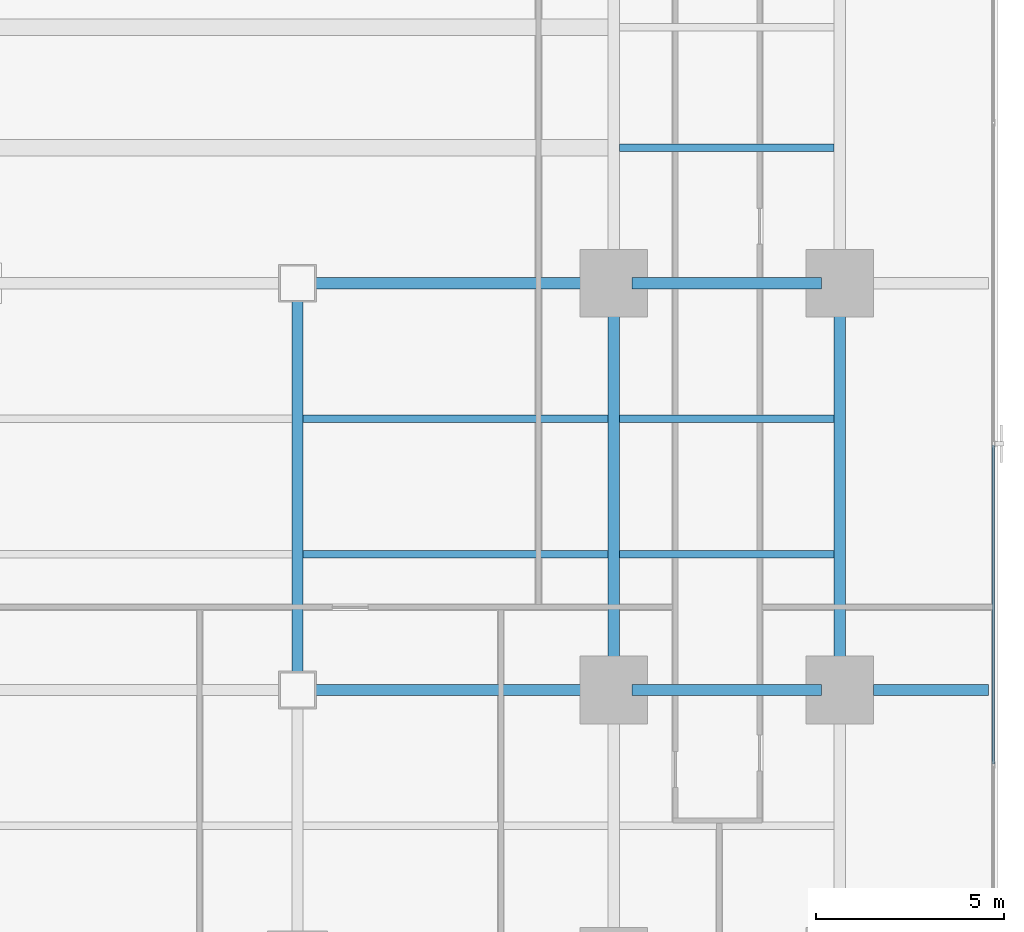
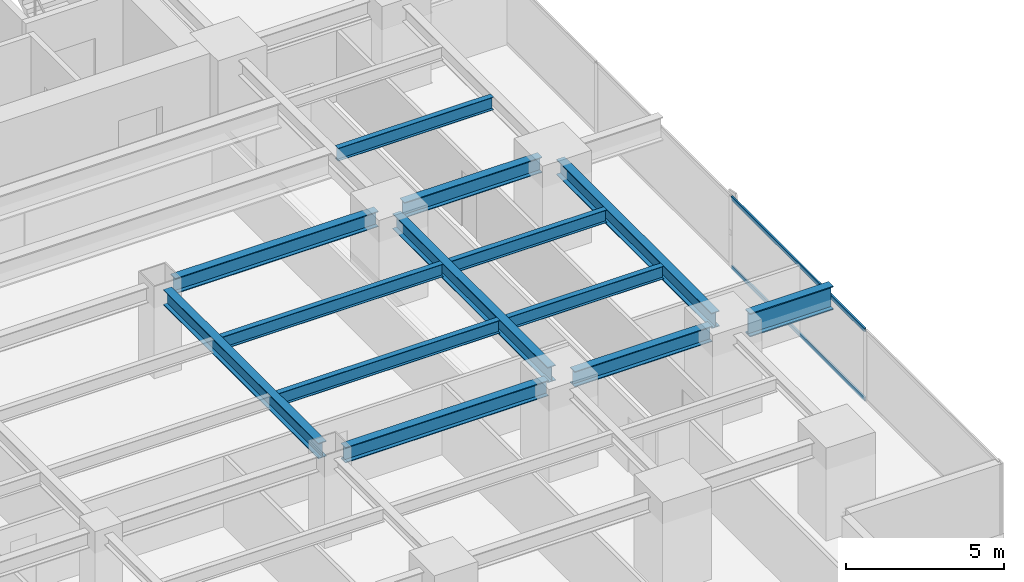
# One storey, part 14 of 34: 13 beams, 2 members, 1 element without a shape of its own.
"""IFC4 building model written with IfcOpenShell, lengths in metres."""

import ifcopenshell
import ifcopenshell.guid

model = None  # the IFC model being written
_history = None  # IfcOwnerHistory: only IFC2X3 demands one
_inside = {}  # id of a spatial element -> (the spatial element, [elements in it])
_under = {}  # id of a project, library or spatial element -> (it, [spatial elements below it])
_declared = {}  # id of a project -> (the project, [libraries it declares])
_typed = {}  # id of a type object -> (the type object, [elements of that type])
_made_of = {}  # id of a material, layer set ... -> (it, [elements and type objects made of it])


def new_model(schema):
    """Start an empty IFC model of exactly this schema.

    Asked for "IFC4X3", IfcOpenShell would pick the latest addendum, in which some entities
    have other attributes; the version numbers below select the first issue.
    IFC2X3 requires an IfcOwnerHistory on every rooted entity: one is made here for all.
    """
    global model, _history
    if schema == "IFC4X3":
        model = ifcopenshell.file(schema_version=(4, 3, 0, 0))
    else:
        model = ifcopenshell.file(schema=schema)
    _inside.clear()
    _under.clear()
    _declared.clear()
    _typed.clear()
    _made_of.clear()
    _history = None
    if model.schema == "IFC2X3":
        org = make("IfcOrganization", Name="unknown")
        user = make(
            "IfcPersonAndOrganization",
            ThePerson=make("IfcPerson", FamilyName="unknown"),
            TheOrganization=org,
        )
        app = make(
            "IfcApplication",
            ApplicationDeveloper=org,
            Version="unknown",
            ApplicationFullName="unknown",
            ApplicationIdentifier="unknown",
        )
        _history = make(
            "IfcOwnerHistory",
            OwningUser=user,
            OwningApplication=app,
            ChangeAction="ADDED",
            CreationDate=0,
        )
    return model


def make(cls, **values):
    """One entity of the class cls with the attributes given. An attribute that is None is left unset."""
    return model.create_entity(
        cls, **{name: value for name, value in values.items() if value is not None}
    )


def rooted(cls, **values):
    """An entity with a GlobalId (a new one), such as an element, a storey or a relation."""
    return make(cls, GlobalId=ifcopenshell.guid.new(), OwnerHistory=_history, **values)


def si_unit(unit_type, name, prefix=None):
    """IfcSIUnit, for example si_unit("LENGTHUNIT", "METRE", prefix="MILLI")."""
    return make("IfcSIUnit", UnitType=unit_type, Prefix=prefix, Name=name)


def assignment(units):
    """IfcUnitAssignment: the units of a project."""
    return None if units is None else make("IfcUnitAssignment", Units=units)


def point(xyz):
    """IfcCartesianPoint."""
    return None if xyz is None else make("IfcCartesianPoint", Coordinates=xyz)


def direction(xyz):
    """IfcDirection."""
    return None if xyz is None else make("IfcDirection", DirectionRatios=xyz)


def frame(location, z_axis=None, x_axis=None):
    """IfcAxis2Placement3D, a coordinate frame: its origin and axes. An axis left out is left unset."""
    return make(
        "IfcAxis2Placement3D",
        Location=point(location),
        Axis=direction(z_axis),
        RefDirection=direction(x_axis),
    )


def frame_2d(location, x_axis=None):
    """IfcAxis2Placement2D, a coordinate frame in the plane: its origin and x axis."""
    return make(
        "IfcAxis2Placement2D", Location=point(location), RefDirection=direction(x_axis)
    )


def origin():
    """The frame at (0, 0, 0) with its axes left unset."""
    return frame((0.0, 0.0, 0.0))


def origin_2d():
    """The frame at (0, 0) in the plane with its x axis left unset."""
    return frame_2d((0.0, 0.0))


def place(relative_to, where):
    """IfcLocalPlacement: puts the frame where relative to a parent placement (None: the world)."""
    return make(
        "IfcLocalPlacement", PlacementRelTo=relative_to, RelativePlacement=where
    )


def context(
    kind, dimensions, precision=None, world=None, true_north=None, identifier=None
):
    """IfcGeometricRepresentationContext, for example the 3D "Model" context."""
    return make(
        "IfcGeometricRepresentationContext",
        ContextIdentifier=identifier,
        ContextType=kind,
        CoordinateSpaceDimension=dimensions,
        Precision=precision,
        WorldCoordinateSystem=world,
        TrueNorth=true_north,
    )


def subcontext(parent, identifier, kind, view, scale=None):
    """IfcGeometricRepresentationSubContext, for example "Body" below "Model"."""
    return make(
        "IfcGeometricRepresentationSubContext",
        ContextIdentifier=identifier,
        ContextType=kind,
        ParentContext=parent,
        TargetScale=scale,
        TargetView=view,
    )


def project(units=None, contexts=None):
    """IfcProject with its units and contexts."""
    return rooted(
        "IfcProject",
        Name="project",
        RepresentationContexts=contexts,
        UnitsInContext=assignment(units),
    )


def spatial(cls, under=None, at=None, **own):
    """A site, building, storey or space (cls), placed at a placement, below another one or the project."""
    s = rooted(cls, ObjectPlacement=at, **own)
    if under is not None:
        _under.setdefault(under.id(), (under, []))[1].append(s)
    return s


def profile(cls, at=None, kind="AREA", **sizes):
    """A parametric profile (cls). Its sizes go by their IFC names, for example OverallWidth=200.0."""
    return make(cls, ProfileType=kind, Position=at, **sizes)


def hollow_rectangle(**sizes):
    """IfcRectangleHollowProfileDef."""
    return profile("IfcRectangleHollowProfileDef", **sizes)


def i_section(**sizes):
    """IfcIShapeProfileDef."""
    return profile("IfcIShapeProfileDef", **sizes)


def extrude(swept, where, along, depth):
    """IfcExtrudedAreaSolid: the profile swept, set in the frame where, extruded along a direction by depth."""
    return make(
        "IfcExtrudedAreaSolid",
        SweptArea=swept,
        Position=where,
        ExtrudedDirection=direction(along),
        Depth=depth,
    )


def shape(context_of_items, identifier, shape_type, items):
    """IfcShapeRepresentation: the items that make up one representation, for example the "Body"."""
    return make(
        "IfcShapeRepresentation",
        ContextOfItems=context_of_items,
        RepresentationIdentifier=identifier,
        RepresentationType=shape_type,
        Items=items,
    )


def source(mapping_origin, context_of_items, identifier, shape_type, items):
    """IfcRepresentationMap: a shape defined once, which mapped items show again and again."""
    return make(
        "IfcRepresentationMap",
        MappingOrigin=mapping_origin,
        MappedRepresentation=shape(context_of_items, identifier, shape_type, items),
    )


def transform(
    local_origin,
    x_axis=None,
    y_axis=None,
    z_axis=None,
    scale=None,
    scale2=None,
    scale3=None,
    uniform=True,
):
    """IfcCartesianTransformationOperator3D, or its non-uniform kind. x_axis, y_axis, z_axis: its Axis1, 2, 3."""
    if uniform:
        return make(
            "IfcCartesianTransformationOperator3D",
            Axis1=direction(x_axis),
            Axis2=direction(y_axis),
            LocalOrigin=point(local_origin),
            Scale=scale,
            Axis3=direction(z_axis),
        )
    return make(
        "IfcCartesianTransformationOperator3DnonUniform",
        Axis1=direction(x_axis),
        Axis2=direction(y_axis),
        LocalOrigin=point(local_origin),
        Scale=scale,
        Axis3=direction(z_axis),
        Scale2=scale2,
        Scale3=scale3,
    )


def mapped(mapping_source, mapping_target):
    """IfcMappedItem: shows the shape of a source again, moved by a transform."""
    return make(
        "IfcMappedItem", MappingSource=mapping_source, MappingTarget=mapping_target
    )


def material(Name=None, Category=None):
    """IfcMaterial."""
    return make("IfcMaterial", Name=Name, Category=Category)


def layer(
    of_material, thickness, ventilated=None, Name=None, Category=None, Priority=None
):
    """IfcMaterialLayer: one layer of a wall or slab, of a material (None: an air gap)."""
    return make(
        "IfcMaterialLayer",
        Material=of_material,
        LayerThickness=thickness,
        IsVentilated=ventilated,
        Name=Name,
        Category=Category,
        Priority=Priority,
    )


def layer_set(layers, Name=None):
    """IfcMaterialLayerSet."""
    return make("IfcMaterialLayerSet", MaterialLayers=layers, LayerSetName=Name)


def material_profile(
    of_material, cross_section, Name=None, Category=None, Priority=None
):
    """IfcMaterialProfile: a cross section and its material."""
    return make(
        "IfcMaterialProfile",
        Name=Name,
        Material=of_material,
        Profile=cross_section,
        Priority=Priority,
        Category=Category,
    )


def profile_set(profiles, Name=None, composite=None):
    """IfcMaterialProfileSet."""
    return make(
        "IfcMaterialProfileSet",
        Name=Name,
        MaterialProfiles=profiles,
        CompositeProfile=composite,
    )


def made_of(thing, what):
    """Note that an element or type object is made of a material, layer set ...; save() writes the relation."""
    if what is not None:
        _made_of.setdefault(what.id(), (what, []))[1].append(thing)
    return thing


def type_object(cls, material=None, **own):
    """A type object (cls), such as IfcWallType, which elements share."""
    return made_of(rooted(cls, **own), material)


def element(
    cls,
    number,
    at=None,
    inside=None,
    cuts=None,
    type_object=None,
    material=None,
    context=None,
    identifier="Body",
    shape_type=None,
    held_by="IfcProductDefinitionShape",
    body=None,
    shapes=None,
    **own,
):
    """One element of the class cls, such as IfcWall. Its Tag is "e" and its number.

    at: its placement. inside: the storey or other place that contains it. cuts: it is an
    opening in that element (IfcRelVoidsElement). A single representation is given by context,
    identifier, shape_type and body (its items); several are given by shapes. held_by: the class
    of the entity that holds the representations. save() writes the other relations.
    """
    e = rooted(cls, Tag="e%d" % number, ObjectPlacement=at, **own)
    if body is not None:
        shapes = [shape(context, identifier, shape_type, body)]
    if shapes is not None:
        e.Representation = make(held_by, Representations=shapes)
    if inside is not None:
        _inside.setdefault(inside.id(), (inside, []))[1].append(e)
    if cuts is not None:
        rooted(
            "IfcRelVoidsElement", RelatingBuildingElement=cuts, RelatedOpeningElement=e
        )
    if type_object is not None:
        _typed.setdefault(type_object.id(), (type_object, []))[1].append(e)
    return made_of(e, material)


def aggregate(whole, parts):
    """IfcRelAggregates: a whole, such as a stair, and the parts it consists of."""
    return rooted("IfcRelAggregates", RelatingObject=whole, RelatedObjects=parts)


def save(model, path):
    """Write the relations noted so far, then the file.

    IfcRelAggregates (storeys below a building ...), IfcRelContainedInSpatialStructure (elements
    in a storey), IfcRelDefinesByType, IfcRelAssociatesMaterial and IfcRelDeclares: one each for
    every whole, place, type object, material and project.
    """
    for whole, parts in _under.values():
        aggregate(whole, parts)
    for where, things in _inside.values():
        rooted(
            "IfcRelContainedInSpatialStructure",
            RelatedElements=things,
            RelatingStructure=where,
        )
    for kind, things in _typed.values():
        rooted("IfcRelDefinesByType", RelatedObjects=things, RelatingType=kind)
    for what, things in _made_of.values():
        rooted("IfcRelAssociatesMaterial", RelatedObjects=things, RelatingMaterial=what)
    for by, libraries in _declared.values():
        rooted("IfcRelDeclares", RelatingContext=by, RelatedDefinitions=libraries)
    model.write(path)


model = new_model("IFC4")

# Units and contexts
model_context = context("Model", 3, precision=1e-05, world=origin(), true_north=direction((0.0, 1.0)))
body_context = subcontext(model_context, "Body", "Model", "MODEL_VIEW")
ifc_project = project(units=[si_unit("LENGTHUNIT", "METRE"), si_unit("AREAUNIT", "SQUARE_METRE"), si_unit("VOLUMEUNIT", "CUBIC_METRE"), si_unit("PLANEANGLEUNIT", "RADIAN"), si_unit("MASSUNIT", "GRAM", prefix="KILO")], contexts=[model_context])

# Site, building, storey
site_placement = place(None, origin())
site = spatial("IfcSite", under=ifc_project, at=site_placement, CompositionType="ELEMENT")
building_placement = place(site_placement, origin())
building = spatial("IfcBuilding", under=site, at=building_placement, Name="Sumidabori Civic Tower", CompositionType="ELEMENT")
storey_placement = place(building_placement, frame((0.0, 0.0, 41.60009765625)))
storey = spatial("IfcBuildingStorey", under=building, at=storey_placement, Name="L10", CompositionType="ELEMENT", Elevation=41.60009765625)

# Beams
ifc_material_1 = material(Name="Steel SN490", Category="steel")
ifc_material_profile_1 = material_profile(ifc_material_1, i_section(OverallWidth=0.300048828125, OverallDepth=0.60009765625, WebThickness=0.015380859375, FlangeThickness=0.030029296875, at=origin_2d()), Name="HE 600 B")
ifc_profile_set_1 = profile_set([ifc_material_profile_1], Name="Steel SN490")
beam_type_1 = type_object("IfcBeamType", Name="BM-GIRD-600", PredefinedType="BEAM", material=ifc_profile_set_1)
shared_shape_1 = source(origin(), body_context, "Body", "SweptSolid", [
    extrude(i_section(OverallWidth=0.300048828125, OverallDepth=0.60009765625, WebThickness=0.015380859375, FlangeThickness=0.030029296875, at=origin_2d()), origin(), (0.0, 0.0, 1.0), 5.0400390625),
])
for number, where, z_axis, x_axis, name in (
    (1, (17.280029296875, -10.800048828125, 3.059814453125), (1.0, 0.0, 0.0), (0.0, 1.0, 0.0), "Primary Girder L10 GX-12"),
    (2, (17.280029296875, 0.0, 3.059814453125), (1.0, 0.0, 0.0), (0.0, 1.0, 0.0), "Primary Girder L10 GX-18"),
):
    element("IfcBeam", number, at=place(storey_placement, frame(where, z_axis=z_axis, x_axis=x_axis)), inside=storey, type_object=beam_type_1, Name=name, PredefinedType="BEAM", context=body_context, shape_type="MappedRepresentation", body=[
        mapped(shared_shape_1, transform((0.0, 0.0, 0.0), x_axis=(1.0, 0.0, 0.0), y_axis=(0.0, 1.0, 0.0), z_axis=(0.0, 0.0, 1.0), scale=1.0)),
    ])
shared_shape_2 = source(origin(), body_context, "Body", "SweptSolid", [
    extrude(i_section(OverallWidth=0.300048828125, OverallDepth=0.60009765625, WebThickness=0.015380859375, FlangeThickness=0.030029296875, at=origin_2d()), origin(), (0.0, 0.0, 1.0), 7.440185546875),
])
for number, where, z_axis, x_axis, name in (
    (3, (8.8798828125, -10.800048828125, 3.059814453125), (1.0, 0.0, 0.0), (0.0, 1.0, 0.0), "Primary Girder L10 GX-11"),
    (4, (8.8798828125, 0.0, 3.059814453125), (1.0, 0.0, 0.0), (0.0, 1.0, 0.0), "Primary Girder L10 GX-17"),
):
    element("IfcBeam", number, at=place(storey_placement, frame(where, z_axis=z_axis, x_axis=x_axis)), inside=storey, type_object=beam_type_1, Name=name, PredefinedType="BEAM", context=body_context, shape_type="MappedRepresentation", body=[
        mapped(shared_shape_2, transform((0.0, 0.0, 0.0), x_axis=(1.0, 0.0, 0.0), y_axis=(0.0, 1.0, 0.0), z_axis=(0.0, 0.0, 1.0), scale=1.0)),
    ])
shared_shape_3 = source(origin(), body_context, "Body", "SweptSolid", [
    extrude(i_section(OverallWidth=0.300048828125, OverallDepth=0.60009765625, WebThickness=0.015380859375, FlangeThickness=0.030029296875, at=origin_2d()), origin(), (0.0, 0.0, 1.0), 9.840087890625),
])
for number, where, z_axis, x_axis, name in (
    (5, (8.39990234375, -10.320068359375, 3.059814453125), (0.0, 1.0, 0.0), (-1.0, 0.0, 0.0), "Primary Girder L10 GY-34"),
    (6, (16.800048828125, -10.320068359375, 3.059814453125), (0.0, 1.0, 0.0), (-1.0, 0.0, 0.0), "Primary Girder L10 GY-36"),
    (7, (22.800048828125, -10.320068359375, 3.059814453125), (0.0, 1.0, 0.0), (-1.0, 0.0, 0.0), "Primary Girder L10 GY-40"),
):
    element("IfcBeam", number, at=place(storey_placement, frame(where, z_axis=z_axis, x_axis=x_axis)), inside=storey, type_object=beam_type_1, Name=name, PredefinedType="BEAM", context=body_context, shape_type="MappedRepresentation", body=[
        mapped(shared_shape_3, transform((0.0, 0.0, 0.0), x_axis=(1.0, 0.0, 0.0), y_axis=(0.0, 1.0, 0.0), z_axis=(0.0, 0.0, 1.0), scale=1.0)),
    ])
ifc_material_profile_2 = material_profile(ifc_material_1, i_section(OverallWidth=0.302001953125, OverallDepth=0.909912109375, WebThickness=0.02099609375, FlangeThickness=0.0400390625, at=origin_2d()), Name="HE 900 M")
ifc_profile_set_2 = profile_set([ifc_material_profile_2], Name="Steel SN490")
beam_type_2 = type_object("IfcBeamType", Name="BM-Z1-EDGE", PredefinedType="SPANDREL", material=ifc_profile_set_2)
shared_shape_4 = source(origin(), body_context, "Body", "SweptSolid", [
    extrude(i_section(OverallWidth=0.302001953125, OverallDepth=0.909912109375, WebThickness=0.02099609375, FlangeThickness=0.0400390625, at=origin_2d()), origin(), (0.0, 0.0, 1.0), 3.050048828125),
])
beam_placement = place(storey_placement, frame((23.699951171875, -10.800048828125, 2.90478515625), z_axis=(1.0, 0.0, 0.0), x_axis=(0.0, 1.0, 0.0)))
element("IfcBeam", 8, at=beam_placement, inside=storey, type_object=beam_type_2, Name="Perimeter Overhang Beam L10 E-43", PredefinedType="SPANDREL", context=body_context, shape_type="MappedRepresentation", body=[
    mapped(shared_shape_4, transform((0.0, 0.0, 0.0), x_axis=(1.0, 0.0, 0.0), y_axis=(0.0, 1.0, 0.0), z_axis=(0.0, 0.0, 1.0), scale=1.0)),
])
ifc_material_profile_3 = material_profile(ifc_material_1, i_section(OverallWidth=0.199951171875, OverallDepth=0.5, WebThickness=0.01025390625, FlangeThickness=0.01611328125, at=origin_2d()), Name="IPE 500")
ifc_profile_set_3 = profile_set([ifc_material_profile_3], Name="Steel SN490")
beam_type_3 = type_object("IfcBeamType", Name="BM-JST-500", PredefinedType="JOIST", material=ifc_profile_set_3)
shared_shape_5 = source(origin(), body_context, "Body", "SweptSolid", [
    extrude(i_section(OverallWidth=0.199951171875, OverallDepth=0.5, WebThickness=0.01025390625, FlangeThickness=0.01611328125, at=origin_2d()), origin(), (0.0, 0.0, 1.0), 5.699951171875),
])
for number, where, z_axis, x_axis, name in (
    (9, (16.949951171875, -7.199951171875, 3.10986328125), (1.0, 0.0, 0.0), (0.0, 1.0, 0.0), "Outer Bay Floor Joist L10 JSTO-50"),
    (10, (16.949951171875, -3.60009765625, 3.10986328125), (1.0, 0.0, 0.0), (0.0, 1.0, 0.0), "Outer Bay Floor Joist L10 JSTO-52"),
    (11, (16.949951171875, 3.60009765625, 3.10986328125), (1.0, 0.0, 0.0), (0.0, 1.0, 0.0), "Outer Bay Floor Joist L10 JSTO-54"),
):
    element("IfcBeam", number, at=place(storey_placement, frame(where, z_axis=z_axis, x_axis=x_axis)), inside=storey, type_object=beam_type_3, Name=name, PredefinedType="JOIST", context=body_context, shape_type="MappedRepresentation", body=[
        mapped(shared_shape_5, transform((0.0, 0.0, 0.0), x_axis=(1.0, 0.0, 0.0), y_axis=(0.0, 1.0, 0.0), z_axis=(0.0, 0.0, 1.0), scale=1.0)),
    ])
shared_shape_6 = source(origin(), body_context, "Body", "SweptSolid", [
    extrude(i_section(OverallWidth=0.199951171875, OverallDepth=0.5, WebThickness=0.01025390625, FlangeThickness=0.01611328125, at=origin_2d()), origin(), (0.0, 0.0, 1.0), 8.099853515625),
])
for number, where, z_axis, x_axis, name in (
    (12, (8.550048828125, -7.199951171875, 3.10986328125), (1.0, 0.0, 0.0), (0.0, 1.0, 0.0), "South Bay Floor Joist L10 JSTS-68"),
    (13, (8.550048828125, -3.60009765625, 3.10986328125), (1.0, 0.0, 0.0), (0.0, 1.0, 0.0), "South Bay Floor Joist L10 JSTS-72"),
):
    element("IfcBeam", number, at=place(storey_placement, frame(where, z_axis=z_axis, x_axis=x_axis)), inside=storey, type_object=beam_type_3, Name=name, PredefinedType="JOIST", context=body_context, shape_type="MappedRepresentation", body=[
        mapped(shared_shape_6, transform((0.0, 0.0, 0.0), x_axis=(1.0, 0.0, 0.0), y_axis=(0.0, 1.0, 0.0), z_axis=(0.0, 0.0, 1.0), scale=1.0)),
    ])

# Curtain wall, members
ifc_material_2 = material(Name="Anodised Bronze Aluminium AW-6063-T6", Category="aluminium")
ifc_layer = layer(ifc_material_2, 0.179931640625, Name="Anodised Bronze Aluminium AW-6063-T6")
ifc_layer_set = layer_set([ifc_layer], Name="Anodised Bronze Aluminium AW-6063-T6")
curtain_wall_type = type_object("IfcCurtainWallType", Name="CW-SYS-2", PredefinedType="NOTDEFINED", material=ifc_layer_set)
curtain_wall_placement = place(storey_placement, origin())
curtain_wall = element("IfcCurtainWall", 14, at=curtain_wall_placement, inside=storey, type_object=curtain_wall_type, Name="Curtain Wall CW:L10:R04", PredefinedType="NOTDEFINED")
ifc_material_profile_4 = material_profile(ifc_material_2, hollow_rectangle(XDim=0.06494140625, YDim=0.14990234375, WallThickness=0.0048828125, at=origin_2d()), Name="ALU TRANSOM 150x65")
ifc_profile_set_4 = profile_set([ifc_material_profile_4], Name="Anodised Bronze Aluminium AW-6063-T6")
member_type = type_object("IfcMemberType", Name="CW-TRN-150", PredefinedType="USERDEFINED", material=ifc_profile_set_4)
shared_shape_7 = source(origin(), body_context, "Body", "SweptSolid", [
    extrude(hollow_rectangle(XDim=0.06494140625, YDim=0.14990234375, WallThickness=0.0048828125, at=origin_2d()), origin(), (0.0, 0.0, 1.0), 8.4580078125),
])
member_1_placement = place(storey_placement, frame((26.8798828125, -12.757080078125, 0.032470703125), z_axis=(0.0, 1.0, 0.0), x_axis=(-1.0, 0.0, 0.0)))
member_1 = element("IfcMember", 15, at=member_1_placement, type_object=member_type, Name="CW-2 transom 2.1", ObjectType="TRANSOM", PredefinedType="USERDEFINED", context=body_context, shape_type="MappedRepresentation", body=[
    mapped(shared_shape_7, transform((0.0, 0.0, 0.0), x_axis=(1.0, 0.0, 0.0), y_axis=(0.0, 1.0, 0.0), z_axis=(0.0, 0.0, 1.0), scale=1.0)),
])
member_2_placement = place(storey_placement, frame((26.8798828125, -12.757080078125, 2.70751953125), z_axis=(0.0, 1.0, 0.0), x_axis=(-1.0, 0.0, 0.0)))
member_2 = element("IfcMember", 16, at=member_2_placement, type_object=member_type, Name="CW-2 transom 2.2", ObjectType="TRANSOM", PredefinedType="USERDEFINED", context=body_context, shape_type="MappedRepresentation", body=[
    mapped(shared_shape_7, transform((0.0, 0.0, 0.0), x_axis=(1.0, 0.0, 0.0), y_axis=(0.0, 1.0, 0.0), z_axis=(0.0, 0.0, 1.0), scale=1.0)),
])
aggregate(curtain_wall, [member_1, member_2])

save(model, "model.ifc")
